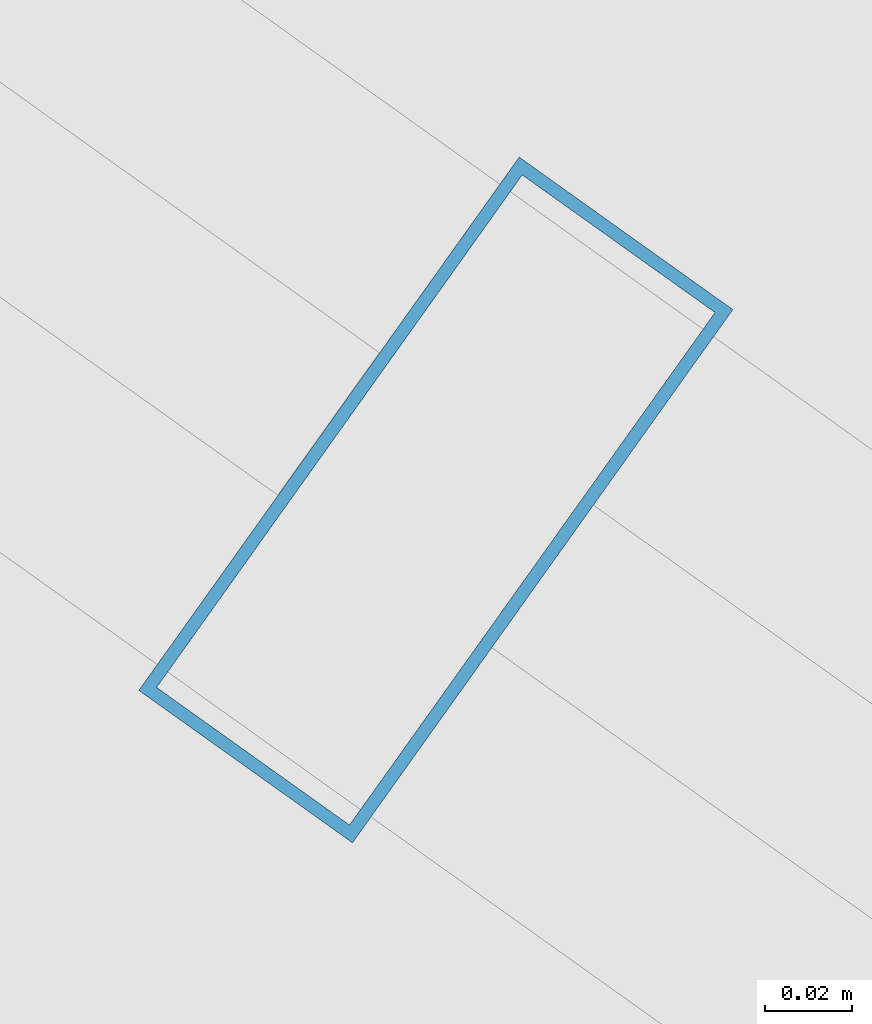
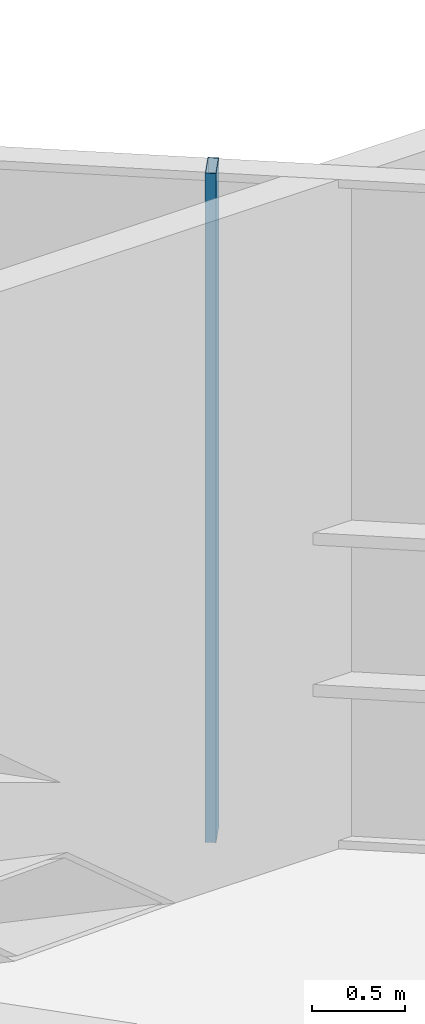
# One storey, part 24 of 31: 1 member, 1 element without a shape of its own.
"""IFC4 building model written with IfcOpenShell, lengths in metres."""

import ifcopenshell
import ifcopenshell.guid

model = None  # the IFC model being written
_history = None  # IfcOwnerHistory: only IFC2X3 demands one
_inside = {}  # id of a spatial element -> (the spatial element, [elements in it])
_under = {}  # id of a project, library or spatial element -> (it, [spatial elements below it])
_declared = {}  # id of a project -> (the project, [libraries it declares])
_typed = {}  # id of a type object -> (the type object, [elements of that type])
_made_of = {}  # id of a material, layer set ... -> (it, [elements and type objects made of it])


def new_model(schema):
    """Start an empty IFC model of exactly this schema.

    Asked for "IFC4X3", IfcOpenShell would pick the latest addendum, in which some entities
    have other attributes; the version numbers below select the first issue.
    IFC2X3 requires an IfcOwnerHistory on every rooted entity: one is made here for all.
    """
    global model, _history
    if schema == "IFC4X3":
        model = ifcopenshell.file(schema_version=(4, 3, 0, 0))
    else:
        model = ifcopenshell.file(schema=schema)
    _inside.clear()
    _under.clear()
    _declared.clear()
    _typed.clear()
    _made_of.clear()
    _history = None
    if model.schema == "IFC2X3":
        org = make("IfcOrganization", Name="unknown")
        user = make(
            "IfcPersonAndOrganization",
            ThePerson=make("IfcPerson", FamilyName="unknown"),
            TheOrganization=org,
        )
        app = make(
            "IfcApplication",
            ApplicationDeveloper=org,
            Version="unknown",
            ApplicationFullName="unknown",
            ApplicationIdentifier="unknown",
        )
        _history = make(
            "IfcOwnerHistory",
            OwningUser=user,
            OwningApplication=app,
            ChangeAction="ADDED",
            CreationDate=0,
        )
    return model


def make(cls, **values):
    """One entity of the class cls with the attributes given. An attribute that is None is left unset."""
    return model.create_entity(
        cls, **{name: value for name, value in values.items() if value is not None}
    )


def rooted(cls, **values):
    """An entity with a GlobalId (a new one), such as an element, a storey or a relation."""
    return make(cls, GlobalId=ifcopenshell.guid.new(), OwnerHistory=_history, **values)


def si_unit(unit_type, name, prefix=None):
    """IfcSIUnit, for example si_unit("LENGTHUNIT", "METRE", prefix="MILLI")."""
    return make("IfcSIUnit", UnitType=unit_type, Prefix=prefix, Name=name)


def assignment(units):
    """IfcUnitAssignment: the units of a project."""
    return None if units is None else make("IfcUnitAssignment", Units=units)


def point(xyz):
    """IfcCartesianPoint."""
    return None if xyz is None else make("IfcCartesianPoint", Coordinates=xyz)


def direction(xyz):
    """IfcDirection."""
    return None if xyz is None else make("IfcDirection", DirectionRatios=xyz)


def frame(location, z_axis=None, x_axis=None):
    """IfcAxis2Placement3D, a coordinate frame: its origin and axes. An axis left out is left unset."""
    return make(
        "IfcAxis2Placement3D",
        Location=point(location),
        Axis=direction(z_axis),
        RefDirection=direction(x_axis),
    )


def frame_2d(location, x_axis=None):
    """IfcAxis2Placement2D, a coordinate frame in the plane: its origin and x axis."""
    return make(
        "IfcAxis2Placement2D", Location=point(location), RefDirection=direction(x_axis)
    )


def origin():
    """The frame at (0, 0, 0) with its axes left unset."""
    return frame((0.0, 0.0, 0.0))


def origin_2d():
    """The frame at (0, 0) in the plane with its x axis left unset."""
    return frame_2d((0.0, 0.0))


def place(relative_to, where):
    """IfcLocalPlacement: puts the frame where relative to a parent placement (None: the world)."""
    return make(
        "IfcLocalPlacement", PlacementRelTo=relative_to, RelativePlacement=where
    )


def context(
    kind, dimensions, precision=None, world=None, true_north=None, identifier=None
):
    """IfcGeometricRepresentationContext, for example the 3D "Model" context."""
    return make(
        "IfcGeometricRepresentationContext",
        ContextIdentifier=identifier,
        ContextType=kind,
        CoordinateSpaceDimension=dimensions,
        Precision=precision,
        WorldCoordinateSystem=world,
        TrueNorth=true_north,
    )


def subcontext(parent, identifier, kind, view, scale=None):
    """IfcGeometricRepresentationSubContext, for example "Body" below "Model"."""
    return make(
        "IfcGeometricRepresentationSubContext",
        ContextIdentifier=identifier,
        ContextType=kind,
        ParentContext=parent,
        TargetScale=scale,
        TargetView=view,
    )


def project(units=None, contexts=None):
    """IfcProject with its units and contexts."""
    return rooted(
        "IfcProject",
        Name="project",
        RepresentationContexts=contexts,
        UnitsInContext=assignment(units),
    )


def spatial(cls, under=None, at=None, **own):
    """A site, building, storey or space (cls), placed at a placement, below another one or the project."""
    s = rooted(cls, ObjectPlacement=at, **own)
    if under is not None:
        _under.setdefault(under.id(), (under, []))[1].append(s)
    return s


def profile(cls, at=None, kind="AREA", **sizes):
    """A parametric profile (cls). Its sizes go by their IFC names, for example OverallWidth=200.0."""
    return make(cls, ProfileType=kind, Position=at, **sizes)


def hollow_rectangle(**sizes):
    """IfcRectangleHollowProfileDef."""
    return profile("IfcRectangleHollowProfileDef", **sizes)


def extrude(swept, where, along, depth):
    """IfcExtrudedAreaSolid: the profile swept, set in the frame where, extruded along a direction by depth."""
    return make(
        "IfcExtrudedAreaSolid",
        SweptArea=swept,
        Position=where,
        ExtrudedDirection=direction(along),
        Depth=depth,
    )


def shape(context_of_items, identifier, shape_type, items):
    """IfcShapeRepresentation: the items that make up one representation, for example the "Body"."""
    return make(
        "IfcShapeRepresentation",
        ContextOfItems=context_of_items,
        RepresentationIdentifier=identifier,
        RepresentationType=shape_type,
        Items=items,
    )


def source(mapping_origin, context_of_items, identifier, shape_type, items):
    """IfcRepresentationMap: a shape defined once, which mapped items show again and again."""
    return make(
        "IfcRepresentationMap",
        MappingOrigin=mapping_origin,
        MappedRepresentation=shape(context_of_items, identifier, shape_type, items),
    )


def transform(
    local_origin,
    x_axis=None,
    y_axis=None,
    z_axis=None,
    scale=None,
    scale2=None,
    scale3=None,
    uniform=True,
):
    """IfcCartesianTransformationOperator3D, or its non-uniform kind. x_axis, y_axis, z_axis: its Axis1, 2, 3."""
    if uniform:
        return make(
            "IfcCartesianTransformationOperator3D",
            Axis1=direction(x_axis),
            Axis2=direction(y_axis),
            LocalOrigin=point(local_origin),
            Scale=scale,
            Axis3=direction(z_axis),
        )
    return make(
        "IfcCartesianTransformationOperator3DnonUniform",
        Axis1=direction(x_axis),
        Axis2=direction(y_axis),
        LocalOrigin=point(local_origin),
        Scale=scale,
        Axis3=direction(z_axis),
        Scale2=scale2,
        Scale3=scale3,
    )


def mapped(mapping_source, mapping_target):
    """IfcMappedItem: shows the shape of a source again, moved by a transform."""
    return make(
        "IfcMappedItem", MappingSource=mapping_source, MappingTarget=mapping_target
    )


def material(Name=None, Category=None):
    """IfcMaterial."""
    return make("IfcMaterial", Name=Name, Category=Category)


def layer(
    of_material, thickness, ventilated=None, Name=None, Category=None, Priority=None
):
    """IfcMaterialLayer: one layer of a wall or slab, of a material (None: an air gap)."""
    return make(
        "IfcMaterialLayer",
        Material=of_material,
        LayerThickness=thickness,
        IsVentilated=ventilated,
        Name=Name,
        Category=Category,
        Priority=Priority,
    )


def layer_set(layers, Name=None):
    """IfcMaterialLayerSet."""
    return make("IfcMaterialLayerSet", MaterialLayers=layers, LayerSetName=Name)


def material_profile(
    of_material, cross_section, Name=None, Category=None, Priority=None
):
    """IfcMaterialProfile: a cross section and its material."""
    return make(
        "IfcMaterialProfile",
        Name=Name,
        Material=of_material,
        Profile=cross_section,
        Priority=Priority,
        Category=Category,
    )


def profile_set(profiles, Name=None, composite=None):
    """IfcMaterialProfileSet."""
    return make(
        "IfcMaterialProfileSet",
        Name=Name,
        MaterialProfiles=profiles,
        CompositeProfile=composite,
    )


def made_of(thing, what):
    """Note that an element or type object is made of a material, layer set ...; save() writes the relation."""
    if what is not None:
        _made_of.setdefault(what.id(), (what, []))[1].append(thing)
    return thing


def type_object(cls, material=None, **own):
    """A type object (cls), such as IfcWallType, which elements share."""
    return made_of(rooted(cls, **own), material)


def element(
    cls,
    number,
    at=None,
    inside=None,
    cuts=None,
    type_object=None,
    material=None,
    context=None,
    identifier="Body",
    shape_type=None,
    held_by="IfcProductDefinitionShape",
    body=None,
    shapes=None,
    **own,
):
    """One element of the class cls, such as IfcWall. Its Tag is "e" and its number.

    at: its placement. inside: the storey or other place that contains it. cuts: it is an
    opening in that element (IfcRelVoidsElement). A single representation is given by context,
    identifier, shape_type and body (its items); several are given by shapes. held_by: the class
    of the entity that holds the representations. save() writes the other relations.
    """
    e = rooted(cls, Tag="e%d" % number, ObjectPlacement=at, **own)
    if body is not None:
        shapes = [shape(context, identifier, shape_type, body)]
    if shapes is not None:
        e.Representation = make(held_by, Representations=shapes)
    if inside is not None:
        _inside.setdefault(inside.id(), (inside, []))[1].append(e)
    if cuts is not None:
        rooted(
            "IfcRelVoidsElement", RelatingBuildingElement=cuts, RelatedOpeningElement=e
        )
    if type_object is not None:
        _typed.setdefault(type_object.id(), (type_object, []))[1].append(e)
    return made_of(e, material)


def aggregate(whole, parts):
    """IfcRelAggregates: a whole, such as a stair, and the parts it consists of."""
    return rooted("IfcRelAggregates", RelatingObject=whole, RelatedObjects=parts)


def save(model, path):
    """Write the relations noted so far, then the file.

    IfcRelAggregates (storeys below a building ...), IfcRelContainedInSpatialStructure (elements
    in a storey), IfcRelDefinesByType, IfcRelAssociatesMaterial and IfcRelDeclares: one each for
    every whole, place, type object, material and project.
    """
    for whole, parts in _under.values():
        aggregate(whole, parts)
    for where, things in _inside.values():
        rooted(
            "IfcRelContainedInSpatialStructure",
            RelatedElements=things,
            RelatingStructure=where,
        )
    for kind, things in _typed.values():
        rooted("IfcRelDefinesByType", RelatedObjects=things, RelatingType=kind)
    for what, things in _made_of.values():
        rooted("IfcRelAssociatesMaterial", RelatedObjects=things, RelatingMaterial=what)
    for by, libraries in _declared.values():
        rooted("IfcRelDeclares", RelatingContext=by, RelatedDefinitions=libraries)
    model.write(path)


model = new_model("IFC4")

# Units and contexts
model_context = context("Model", 3, precision=1e-05, world=origin(), true_north=direction((0.0, 1.0)))
body_context = subcontext(model_context, "Body", "Model", "MODEL_VIEW")
ifc_project = project(units=[si_unit("LENGTHUNIT", "METRE"), si_unit("AREAUNIT", "SQUARE_METRE"), si_unit("VOLUMEUNIT", "CUBIC_METRE"), si_unit("PLANEANGLEUNIT", "RADIAN"), si_unit("MASSUNIT", "GRAM", prefix="KILO")], contexts=[model_context])

# Site, building, storey
site_placement = place(None, origin())
site = spatial("IfcSite", under=ifc_project, at=site_placement, CompositionType="ELEMENT")
building_placement = place(site_placement, origin())
building = spatial("IfcBuilding", under=site, at=building_placement, Name="Veraguas Prism Commons", CompositionType="ELEMENT")
storey_placement = place(building_placement, frame((0.0, 0.0, 225.39990234375)))
storey = spatial("IfcBuildingStorey", under=building, at=storey_placement, Name="L64", CompositionType="ELEMENT", Elevation=225.39990234375)

# Curtain wall, member
ifc_material = material(Name="Anodised aluminium EN AW-6063 T6", Category="aluminium")
ifc_layer = layer(ifc_material, 0.14990234375, Name="Unitised Flush Curtain Wall Zone 3", Category="aluminium")
ifc_layer_set = layer_set([ifc_layer], Name="Anodised aluminium EN AW-6063 T6")
curtain_wall_type = type_object("IfcCurtainWallType", Name="Unitised Flush Curtain Wall Zone 3", PredefinedType="NOTDEFINED", material=ifc_layer_set)
curtain_wall_placement = place(storey_placement, origin())
curtain_wall = element("IfcCurtainWall", 1, at=curtain_wall_placement, inside=storey, type_object=curtain_wall_type, Name="Tower Facade Curtain Wall L64-F1", PredefinedType="NOTDEFINED")
ifc_material_profile = material_profile(ifc_material, hollow_rectangle(XDim=0.06005859375, YDim=0.14990234375, WallThickness=0.0029296875, at=origin_2d()), Name="AL60X150X3")
ifc_profile_set = profile_set([ifc_material_profile], Name="Anodised aluminium EN AW-6063 T6")
member_type = type_object("IfcMemberType", Name="Curtain Wall Mullion Upper AL 60x150x3", PredefinedType="MULLION", material=ifc_profile_set)
shared_shape = source(origin(), body_context, "Body", "SweptSolid", [
    extrude(hollow_rectangle(XDim=0.06005859375, YDim=0.14990234375, WallThickness=0.0029296875, at=origin_2d()), origin(), (0.0, 0.0, 1.0), 4.4150390625),
])
member_placement = place(storey_placement, frame((34.284423828125, 38.418212890625, 0.0), z_axis=(0.0, 0.0, 1.0), x_axis=(-0.814113491316, 0.580705797507, 0.0)))
member = element("IfcMember", 2, at=member_placement, type_object=member_type, Name="CW-Z3 Mullion 3", PredefinedType="MULLION", context=body_context, shape_type="MappedRepresentation", body=[
    mapped(shared_shape, transform((0.0, 0.0, 0.0), scale=1.0)),
])
aggregate(curtain_wall, [member])

save(model, "model.ifc")
